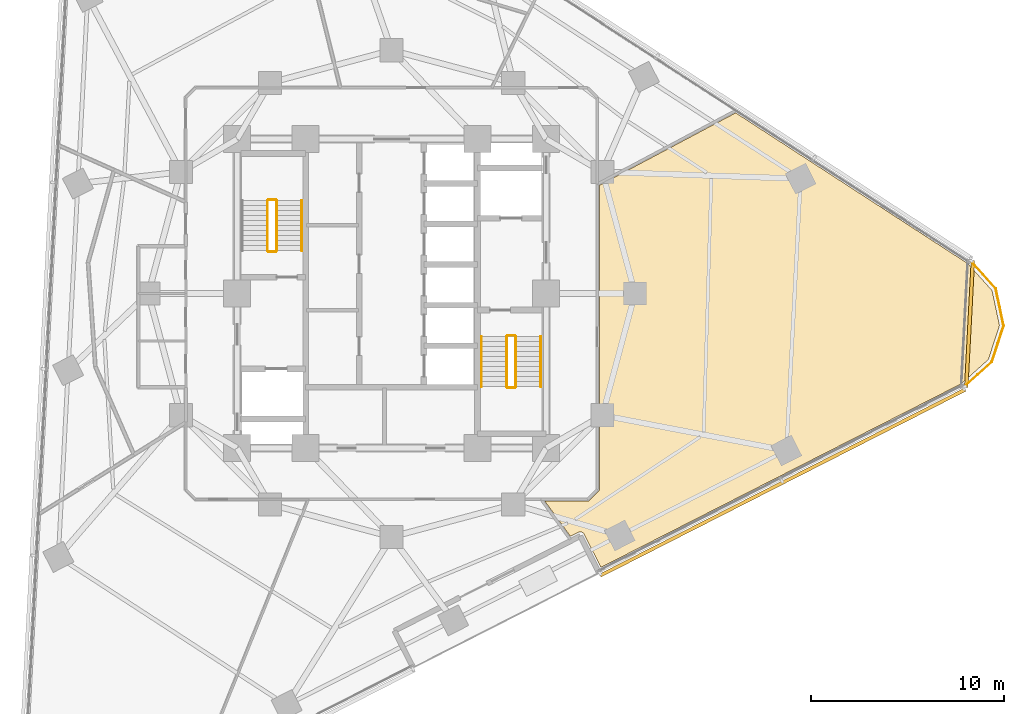
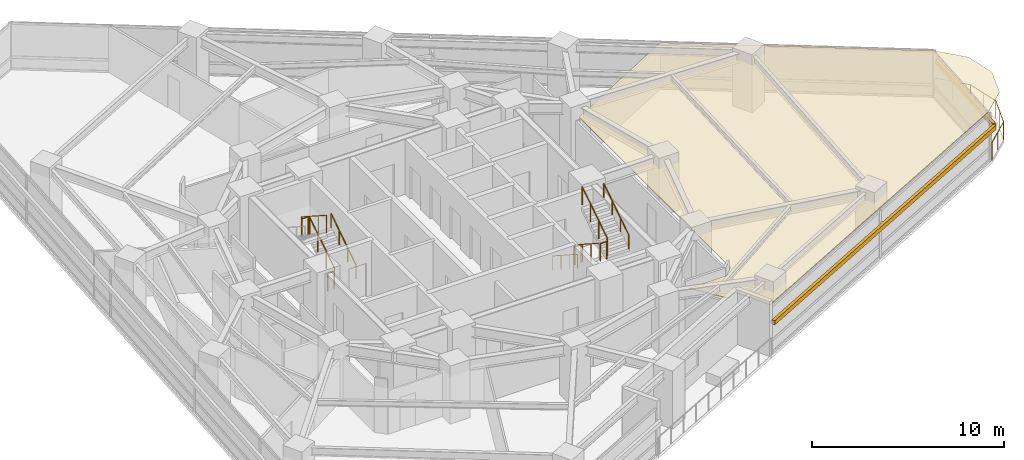
# One storey, part 13 of 14: 12 railings, 2 shading devices, 1 covering.
"""IFC4 building model written with IfcOpenShell, lengths in metres."""

from ifc_helpers import new_model, si_unit, direction, frame, origin, origin_2d, place, context, subcontext, project, spatial, polyline, rectangle, circle, outline, extrude, material, layer, layer_set, type_object, element, save


model = new_model("IFC4")

# Units and contexts
model_context = context("Model", 3, precision=1e-05, world=origin(), true_north=direction((0.0, 1.0)))
body_context = subcontext(model_context, "Body", "Model", "MODEL_VIEW")
ifc_project = project(units=[si_unit("LENGTHUNIT", "METRE"), si_unit("AREAUNIT", "SQUARE_METRE"), si_unit("VOLUMEUNIT", "CUBIC_METRE"), si_unit("PLANEANGLEUNIT", "RADIAN"), si_unit("MASSUNIT", "GRAM", prefix="KILO")], contexts=[model_context])

# Site, building, storey
site_placement = place(None, origin())
site = spatial("IfcSite", under=ifc_project, at=site_placement, CompositionType="ELEMENT")
building_placement = place(site_placement, origin())
building = spatial("IfcBuilding", under=site, at=building_placement, Name="Terralouvre Media Tower", CompositionType="ELEMENT")
storey_placement = place(building_placement, frame((0.0, 0.0, 131.0)))
storey = spatial("IfcBuildingStorey", under=building, at=storey_placement, Name="L33", CompositionType="ELEMENT", Elevation=131.0)

# Covering
ifc_material_1 = material(Name="Perforated aluminium acoustic ceiling baffle", Category="aluminium")
ifc_layer_1 = layer(ifc_material_1, 0.0400390625, Name="Perforated Acoustic Metal Tile Ceiling CL-AC1")
ifc_layer_set_1 = layer_set([ifc_layer_1], Name="Perforated aluminium acoustic ceiling baffle")
covering_type = type_object("IfcCoveringType", Name="Perforated Acoustic Metal Tile Ceiling CL-AC1", PredefinedType="CEILING", material=ifc_layer_set_1)
covering_placement = place(storey_placement, frame((0.0, 0.0, 2.97998046875), z_axis=(0.0, 0.0, 1.0), x_axis=(0.891006524188, 0.45399049974, 0.0)))
element("IfcCovering", 1, at=covering_placement, inside=storey, type_object=covering_type, Name="L33 Book Review Reading Study 5 Acoustic Ceiling", PredefinedType="CEILING", context=body_context, shape_type="SweptSolid", body=[
    extrude(outline(polyline([(4.97021484375, -13.924072265625), (4.96533203125, -13.9326171875), (4.959716796875, -13.940673828125), (4.953369140625, -13.947998046875), (4.946044921875, -13.954833984375), (4.9384765625, -13.960693359375), (4.929931640625, -13.966064453125), (4.92138671875, -13.97021484375), (4.912109375, -13.973876953125), (4.239501953125, -14.1923828125), (4.230224609375, -14.19482421875), (4.220458984375, -14.196533203125), (4.210693359375, -14.197265625), (4.200927734375, -14.197021484375), (4.191162109375, -14.195556640625), (4.181640625, -14.193603515625), (4.17236328125, -14.1904296875), (4.163330078125, -14.186279296875), (2.18896484375, -13.180419921875), (2.540283203125, -15.402099609375), (3.000244140625, -15.401611328125), (3.001220703125, -15.40185546875), (3.01220703125, -15.40185546875), (3.023193359375, -15.402587890625), (3.033935546875, -15.404296875), (3.044921875, -15.40673828125), (3.05517578125, -15.408935546875), (3.06396484375, -15.4111328125), (3.07275390625, -15.414306640625), (3.083740234375, -15.4189453125), (3.094970703125, -15.42333984375), (3.102783203125, -15.427001953125), (3.1103515625, -15.431396484375), (3.11962890625, -15.437255859375), (3.125732421875, -15.44140625), (3.135498046875, -15.44873046875), (3.1435546875, -15.455078125), (3.15185546875, -15.462646484375), (3.15771484375, -15.468505859375), (3.165771484375, -15.47705078125), (3.170654296875, -15.48291015625), (3.175048828125, -15.48876953125), (3.18212890625, -15.499267578125), (3.184326171875, -15.502685546875), (3.190673828125, -15.512451171875), (3.196533203125, -15.523193359375), (3.201171875, -15.533447265625), (3.203857421875, -15.53955078125), (3.208251953125, -15.55078125), (3.211181640625, -15.559326171875), (3.21337890625, -15.568359375), (3.21533203125, -15.579345703125), (3.21630859375, -15.58447265625), (3.218017578125, -15.596435546875), (3.21875, -15.603515625), (3.219482421875, -15.615234375), (3.2197265625, -15.6220703125), (3.220458984375, -17.551513671875), (24.1708984375, -17.55224609375), (25.986083984375, -17.06494140625), (27.29345703125, -15.758056640625), (27.7724609375, -13.972412109375), (27.28515625, -12.156982421875), (20.1220703125, 0.251220703125), (12.1220703125, 0.11181640625), (4.97021484375, -13.924072265625)])), origin(), (0.0, 0.0, 1.0), 0.0400390625),
])

# Railings
ifc_material_2 = material(Name="Stainless steel 316 handrail and balustrade", Category="steel")
ifc_layer_2 = layer(ifc_material_2, 0.06005859375, Name="Roof Edge Safety Guardrail GR-ROOF1")
ifc_layer_set_2 = layer_set([ifc_layer_2], Name="Stainless steel 316 handrail and balustrade")
railing_type_1 = type_object("IfcRailingType", Name="Roof Edge Safety Guardrail GR-ROOF1", PredefinedType="GUARDRAIL", material=ifc_layer_set_2)
railing_1_placement = place(storey_placement, frame((29.61572265625, -4.845947265625, 0.0)))
element("IfcRailing", 2, at=railing_1_placement, inside=storey, type_object=railing_type_1, Name="L33 Wind-Corner Perimeter Safety Guardrail C1", PredefinedType="GUARDRAIL", context=body_context, shape_type="SweptSolid", body=[
    extrude(circle(Radius=0.02099609375, at=origin_2d()), frame((0.0, 0.0, 1.12890625), z_axis=(0.743312666239, 0.668944153281, 0.0), x_axis=(-0.668944153281, 0.743312666239, 0.0)), (0.0, 0.0, 1.0), 1.96630859375),
    extrude(circle(Radius=0.02099609375, at=origin_2d()), frame((1.461669921875, 1.3154296875, 1.12890625), z_axis=(0.309178723202, 0.95100395221, 0.0), x_axis=(-0.95100395221, 0.309178723202, 0.0)), (0.0, 0.0, 1.0), 1.96630859375),
    extrude(circle(Radius=0.02099609375, at=origin_2d()), frame((2.069580078125, 3.185302734375, 1.12890625), z_axis=(-0.207968640809, 0.978135493907, 0.0), x_axis=(-0.978135493907, -0.207968640809, 0.0)), (0.0, 0.0, 1.0), 1.96630859375),
    extrude(circle(Radius=0.02099609375, at=origin_2d()), frame((1.66064453125, 5.108642578125, 1.12890625), z_axis=(-0.669335064293, 0.742960679786, 0.0), x_axis=(-0.742960679786, -0.669335064293, 0.0)), (0.0, 0.0, 1.0), 1.96630859375),
    extrude(circle(Radius=0.01904296875, at=origin_2d()), origin(), (0.0, 0.0, 1.0), 1.10791015625),
    extrude(circle(Radius=0.01904296875, at=origin_2d()), frame((0.73095703125, 0.65771484375, 0.0)), (0.0, 0.0, 1.0), 1.10791015625),
    extrude(circle(Radius=0.01904296875, at=origin_2d()), frame((1.461669921875, 1.3154296875, 0.0)), (0.0, 0.0, 1.0), 1.10791015625),
    extrude(circle(Radius=0.01904296875, at=origin_2d()), frame((1.765625, 2.25048828125, 0.0)), (0.0, 0.0, 1.0), 1.10791015625),
    extrude(circle(Radius=0.01904296875, at=origin_2d()), frame((2.069580078125, 3.185302734375, 0.0)), (0.0, 0.0, 1.0), 1.10791015625),
    extrude(circle(Radius=0.01904296875, at=origin_2d()), frame((1.865234375, 4.14697265625, 0.0)), (0.0, 0.0, 1.0), 1.10791015625),
    extrude(circle(Radius=0.01904296875, at=origin_2d()), frame((1.66064453125, 5.108642578125, 0.0)), (0.0, 0.0, 1.0), 1.10791015625),
    extrude(circle(Radius=0.01904296875, at=origin_2d()), frame((1.00244140625, 5.839111328125, 0.0)), (0.0, 0.0, 1.0), 1.10791015625),
    extrude(circle(Radius=0.01904296875, at=origin_2d()), frame((0.344482421875, 6.569580078125, 0.0)), (0.0, 0.0, 1.0), 1.10791015625),
])
ifc_material_3 = material(Name="Stainless steel 316 handrail and balustrade", Category="steel")
ifc_layer_3 = layer(ifc_material_3, 0.050048828125, Name="Stair Flight Wall Handrail HR-INT1")
ifc_layer_set_3 = layer_set([ifc_layer_3], Name="Stainless steel 316 handrail and balustrade")
railing_type_2 = type_object("IfcRailingType", Name="Stair Flight Wall Handrail HR-INT1", PredefinedType="HANDRAIL", material=ifc_layer_set_3)
railing_2_placement = place(storey_placement, frame((-4.64990234375, 2.219970703125, 0.168212890625)))
element("IfcRailing", 3, at=railing_2_placement, inside=storey, type_object=railing_type_2, Name="L33 ST-01 stair handrail 1", PredefinedType="HANDRAIL", context=body_context, shape_type="SweptSolid", body=[
    extrude(circle(Radius=0.02392578125, at=origin_2d()), frame((0.0, 0.0, 0.8759765625), z_axis=(0.0, 0.839648411786, 0.543130320075), x_axis=(-1.0, 0.0, 0.0)), (0.0, 0.0, 1.0), 3.0966796875),
    extrude(circle(Radius=0.02099609375, at=origin_2d()), origin(), (0.0, 0.0, 1.0), 0.851806640625),
    extrude(circle(Radius=0.02099609375, at=origin_2d()), frame((0.0, 0.86669921875, 0.560546875)), (0.0, 0.0, 1.0), 0.851806640625),
    extrude(circle(Radius=0.02099609375, at=origin_2d()), frame((0.0, 1.7333984375, 1.121337890625)), (0.0, 0.0, 1.0), 0.851806640625),
    extrude(circle(Radius=0.02099609375, at=origin_2d()), frame((0.0, 2.60009765625, 1.681884765625)), (0.0, 0.0, 1.0), 0.851806640625),
])
railing_3_placement = place(storey_placement, frame((4.64990234375, -2.219970703125, 0.168212890625)))
element("IfcRailing", 4, at=railing_3_placement, inside=storey, type_object=railing_type_2, Name="L33 ST-02 stair handrail 1", PredefinedType="HANDRAIL", context=body_context, shape_type="SweptSolid", body=[
    extrude(circle(Radius=0.02392578125, at=origin_2d()), frame((0.0, 0.0, 0.8759765625), z_axis=(0.0, -0.839648411786, 0.543130320075), x_axis=(1.0, 0.0, 0.0)), (0.0, 0.0, 1.0), 3.0966796875),
    extrude(circle(Radius=0.02099609375, at=origin_2d()), origin(), (0.0, 0.0, 1.0), 0.851806640625),
    extrude(circle(Radius=0.02099609375, at=origin_2d()), frame((0.0, -0.86669921875, 0.560546875)), (0.0, 0.0, 1.0), 0.851806640625),
    extrude(circle(Radius=0.02099609375, at=origin_2d()), frame((0.0, -1.7333984375, 1.121337890625)), (0.0, 0.0, 1.0), 0.851806640625),
    extrude(circle(Radius=0.02099609375, at=origin_2d()), frame((0.0, -2.60009765625, 1.681884765625)), (0.0, 0.0, 1.0), 0.851806640625),
])
railing_4_placement = place(storey_placement, frame((7.72998046875, -4.820068359375, 2.01806640625)))
element("IfcRailing", 5, at=railing_4_placement, inside=storey, type_object=railing_type_2, Name="L33 ST-02 stair handrail 2", PredefinedType="HANDRAIL", context=body_context, shape_type="SweptSolid", body=[
    extrude(circle(Radius=0.02392578125, at=origin_2d()), frame((0.0, 0.0, 0.8759765625), z_axis=(0.0, 0.839648411786, 0.543130320075), x_axis=(-1.0, 0.0, 0.0)), (0.0, 0.0, 1.0), 3.0966796875),
    extrude(circle(Radius=0.02099609375, at=origin_2d()), origin(), (0.0, 0.0, 1.0), 0.851806640625),
    extrude(circle(Radius=0.02099609375, at=origin_2d()), frame((0.0, 0.86669921875, 0.560546875)), (0.0, 0.0, 1.0), 0.851806640625),
    extrude(circle(Radius=0.02099609375, at=origin_2d()), frame((0.0, 1.7333984375, 1.121337890625)), (0.0, 0.0, 1.0), 0.851806640625),
    extrude(circle(Radius=0.02099609375, at=origin_2d()), frame((0.0, 2.60009765625, 1.681884765625)), (0.0, 0.0, 1.0), 0.851806640625),
])
ifc_material_4 = material(Name="Stainless steel 316 handrail and balustrade", Category="steel")
ifc_layer_4 = layer(ifc_material_4, 0.050048828125, Name="Stairwell Safety Guardrail GR-INT1")
ifc_layer_set_4 = layer_set([ifc_layer_4], Name="Stainless steel 316 handrail and balustrade")
railing_type_3 = type_object("IfcRailingType", Name="Stairwell Safety Guardrail GR-INT1", PredefinedType="GUARDRAIL", material=ifc_layer_set_4)
railing_5_placement = place(storey_placement, frame((-5.949951171875, 2.219970703125, 0.168212890625)))
element("IfcRailing", 6, at=railing_5_placement, inside=storey, type_object=railing_type_3, Name="L33 ST-01 stair guard 1", PredefinedType="GUARDRAIL", context=body_context, shape_type="SweptSolid", body=[
    extrude(circle(Radius=0.02392578125, at=origin_2d()), frame((0.0, 0.0, 1.1259765625), z_axis=(0.0, 0.839648411786, 0.543130320075), x_axis=(-1.0, 0.0, 0.0)), (0.0, 0.0, 1.0), 3.0966796875),
    extrude(circle(Radius=0.02099609375, at=origin_2d()), origin(), (0.0, 0.0, 1.0), 1.101806640625),
    extrude(circle(Radius=0.02099609375, at=origin_2d()), frame((0.0, 0.86669921875, 0.560546875)), (0.0, 0.0, 1.0), 1.101806640625),
    extrude(circle(Radius=0.02099609375, at=origin_2d()), frame((0.0, 1.7333984375, 1.121337890625)), (0.0, 0.0, 1.0), 1.101806640625),
    extrude(circle(Radius=0.02099609375, at=origin_2d()), frame((0.0, 2.60009765625, 1.681884765625)), (0.0, 0.0, 1.0), 1.101806640625),
])
railing_6_placement = place(storey_placement, frame((-6.0, 4.8701171875, 1.85009765625)))
element("IfcRailing", 7, at=railing_6_placement, inside=storey, type_object=railing_type_3, Name="L33 ST-01 stair guard 2", PredefinedType="GUARDRAIL", context=body_context, shape_type="SweptSolid", body=[
    extrude(circle(Radius=0.02392578125, at=origin_2d()), frame((0.0, 0.0, 1.1259765625), z_axis=(-1.0, 0.0, 0.0), x_axis=(0.0, -1.0, 0.0)), (0.0, 0.0, 1.0), 0.3798828125),
    extrude(circle(Radius=0.02099609375, at=origin_2d()), origin(), (0.0, 0.0, 1.0), 1.101806640625),
    extrude(circle(Radius=0.02099609375, at=origin_2d()), frame((-0.3798828125, 0.0, 0.0)), (0.0, 0.0, 1.0), 1.101806640625),
])
railing_7_placement = place(storey_placement, frame((-6.429931640625, 4.820068359375, 2.01806640625)))
element("IfcRailing", 8, at=railing_7_placement, inside=storey, type_object=railing_type_3, Name="L33 ST-01 stair guard 3", PredefinedType="GUARDRAIL", context=body_context, shape_type="SweptSolid", body=[
    extrude(circle(Radius=0.02392578125, at=origin_2d()), frame((0.0, 0.0, 1.1259765625), z_axis=(0.0, -0.839648411786, 0.543130320075), x_axis=(1.0, 0.0, 0.0)), (0.0, 0.0, 1.0), 3.0966796875),
    extrude(circle(Radius=0.02099609375, at=origin_2d()), origin(), (0.0, 0.0, 1.0), 1.101806640625),
    extrude(circle(Radius=0.02099609375, at=origin_2d()), frame((0.0, -0.86669921875, 0.560546875)), (0.0, 0.0, 1.0), 1.101806640625),
    extrude(circle(Radius=0.02099609375, at=origin_2d()), frame((0.0, -1.7333984375, 1.121337890625)), (0.0, 0.0, 1.0), 1.101806640625),
    extrude(circle(Radius=0.02099609375, at=origin_2d()), frame((0.0, -2.60009765625, 1.681884765625)), (0.0, 0.0, 1.0), 1.101806640625),
])
railing_8_placement = place(storey_placement, frame((-6.0, 2.169921875, 0.0)))
element("IfcRailing", 9, at=railing_8_placement, inside=storey, type_object=railing_type_3, Name="L33 ST-01 stair guard 4", PredefinedType="GUARDRAIL", context=body_context, shape_type="SweptSolid", body=[
    extrude(circle(Radius=0.02392578125, at=origin_2d()), frame((0.0, 0.0, 1.1259765625), z_axis=(-1.0, 0.0, 0.0), x_axis=(0.0, -1.0, 0.0)), (0.0, 0.0, 1.0), 0.3798828125),
    extrude(circle(Radius=0.02099609375, at=origin_2d()), origin(), (0.0, 0.0, 1.0), 1.101806640625),
    extrude(circle(Radius=0.02099609375, at=origin_2d()), frame((-0.3798828125, 0.0, 0.0)), (0.0, 0.0, 1.0), 1.101806640625),
])
railing_9_placement = place(storey_placement, frame((5.949951171875, -2.219970703125, 0.168212890625)))
element("IfcRailing", 10, at=railing_9_placement, inside=storey, type_object=railing_type_3, Name="L33 ST-02 stair guard 1", PredefinedType="GUARDRAIL", context=body_context, shape_type="SweptSolid", body=[
    extrude(circle(Radius=0.02392578125, at=origin_2d()), frame((0.0, 0.0, 1.1259765625), z_axis=(0.0, -0.839648411786, 0.543130320075), x_axis=(1.0, 0.0, 0.0)), (0.0, 0.0, 1.0), 3.0966796875),
    extrude(circle(Radius=0.02099609375, at=origin_2d()), origin(), (0.0, 0.0, 1.0), 1.101806640625),
    extrude(circle(Radius=0.02099609375, at=origin_2d()), frame((0.0, -0.86669921875, 0.560546875)), (0.0, 0.0, 1.0), 1.101806640625),
    extrude(circle(Radius=0.02099609375, at=origin_2d()), frame((0.0, -1.7333984375, 1.121337890625)), (0.0, 0.0, 1.0), 1.101806640625),
    extrude(circle(Radius=0.02099609375, at=origin_2d()), frame((0.0, -2.60009765625, 1.681884765625)), (0.0, 0.0, 1.0), 1.101806640625),
])
railing_10_placement = place(storey_placement, frame((6.0, -4.8701171875, 1.85009765625)))
element("IfcRailing", 11, at=railing_10_placement, inside=storey, type_object=railing_type_3, Name="L33 ST-02 stair guard 2", PredefinedType="GUARDRAIL", context=body_context, shape_type="SweptSolid", body=[
    extrude(circle(Radius=0.02392578125, at=origin_2d()), frame((0.0, 0.0, 1.1259765625), z_axis=(1.0, 0.0, 0.0), x_axis=(0.0, 1.0, 0.0)), (0.0, 0.0, 1.0), 0.3798828125),
    extrude(circle(Radius=0.02099609375, at=origin_2d()), origin(), (0.0, 0.0, 1.0), 1.101806640625),
    extrude(circle(Radius=0.02099609375, at=origin_2d()), frame((0.3798828125, 0.0, 0.0)), (0.0, 0.0, 1.0), 1.101806640625),
])
railing_11_placement = place(storey_placement, frame((6.429931640625, -4.820068359375, 2.01806640625)))
element("IfcRailing", 12, at=railing_11_placement, inside=storey, type_object=railing_type_3, Name="L33 ST-02 stair guard 3", PredefinedType="GUARDRAIL", context=body_context, shape_type="SweptSolid", body=[
    extrude(circle(Radius=0.02392578125, at=origin_2d()), frame((0.0, 0.0, 1.1259765625), z_axis=(0.0, 0.839648411786, 0.543130320075), x_axis=(-1.0, 0.0, 0.0)), (0.0, 0.0, 1.0), 3.0966796875),
    extrude(circle(Radius=0.02099609375, at=origin_2d()), origin(), (0.0, 0.0, 1.0), 1.101806640625),
    extrude(circle(Radius=0.02099609375, at=origin_2d()), frame((0.0, 0.86669921875, 0.560546875)), (0.0, 0.0, 1.0), 1.101806640625),
    extrude(circle(Radius=0.02099609375, at=origin_2d()), frame((0.0, 1.7333984375, 1.121337890625)), (0.0, 0.0, 1.0), 1.101806640625),
    extrude(circle(Radius=0.02099609375, at=origin_2d()), frame((0.0, 2.60009765625, 1.681884765625)), (0.0, 0.0, 1.0), 1.101806640625),
])
railing_12_placement = place(storey_placement, frame((6.0, -2.169921875, 0.0)))
element("IfcRailing", 13, at=railing_12_placement, inside=storey, type_object=railing_type_3, Name="L33 ST-02 stair guard 4", PredefinedType="GUARDRAIL", context=body_context, shape_type="SweptSolid", body=[
    extrude(circle(Radius=0.02392578125, at=origin_2d()), frame((0.0, 0.0, 1.1259765625), z_axis=(1.0, 0.0, 0.0), x_axis=(0.0, 1.0, 0.0)), (0.0, 0.0, 1.0), 0.3798828125),
    extrude(circle(Radius=0.02099609375, at=origin_2d()), origin(), (0.0, 0.0, 1.0), 1.101806640625),
    extrude(circle(Radius=0.02099609375, at=origin_2d()), frame((0.3798828125, 0.0, 0.0)), (0.0, 0.0, 1.0), 1.101806640625),
])

# Shading devices
ifc_material_5 = material(Name="Extruded terracotta baguette sunshade louvres", Category="masonry")
shading_device_type = type_object("IfcShadingDeviceType", Name="Terracotta Baguette Sunshade Louvre Screen TB-LV1", PredefinedType="USERDEFINED", material=ifc_material_5)
shading_device_1_placement = place(storey_placement, frame((20.24951171875, -9.785400390625, 2.02392578125), z_axis=(0.0, 0.0, 1.0), x_axis=(0.89100612853, 0.453991276263, 0.0)))
element("IfcShadingDevice", 14, at=shading_device_1_placement, inside=storey, type_object=shading_device_type, Name="CW-L33-F0R Terracotta Baguette Sunshade Louvre", ObjectType="BAGUETTE", PredefinedType="USERDEFINED", context=body_context, shape_type="SweptSolid", body=[
    extrude(rectangle(XDim=21.199951171875, YDim=0.179931640625, at=origin_2d()), origin(), (0.0, 0.0, 1.0), 0.280029296875),
])
shading_device_2_placement = place(storey_placement, frame((29.922607421875, -1.568115234375, 2.02392578125), z_axis=(0.0, 0.0, 1.0), x_axis=(0.052336823006, 0.998629489329, 0.0)))
element("IfcShadingDevice", 15, at=shading_device_2_placement, inside=storey, type_object=shading_device_type, Name="CW-L33-C1 Terracotta Baguette Sunshade Louvre", ObjectType="BAGUETTE", PredefinedType="USERDEFINED", context=body_context, shape_type="SweptSolid", body=[
    extrude(rectangle(XDim=6.581787109375, YDim=0.179931640625, at=origin_2d()), origin(), (0.0, 0.0, 1.0), 0.280029296875),
])

save(model, "model.ifc")
